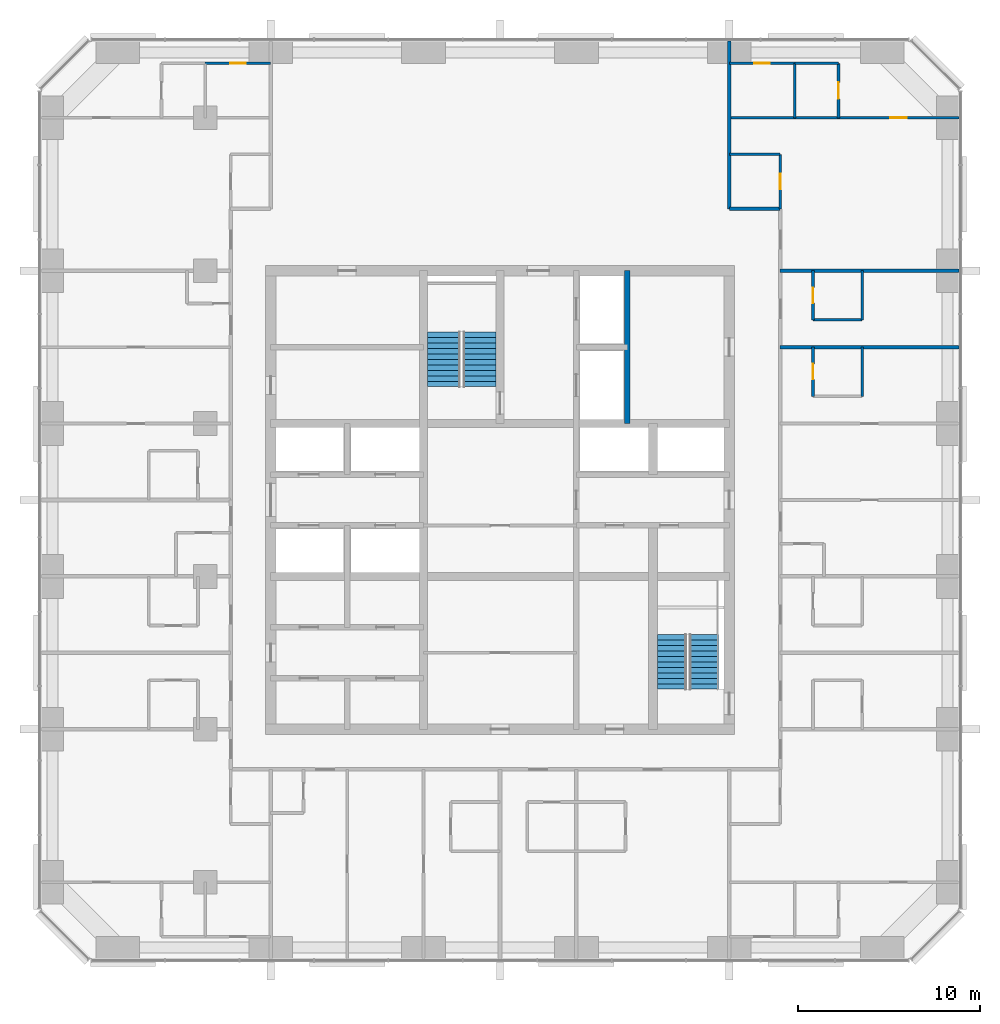
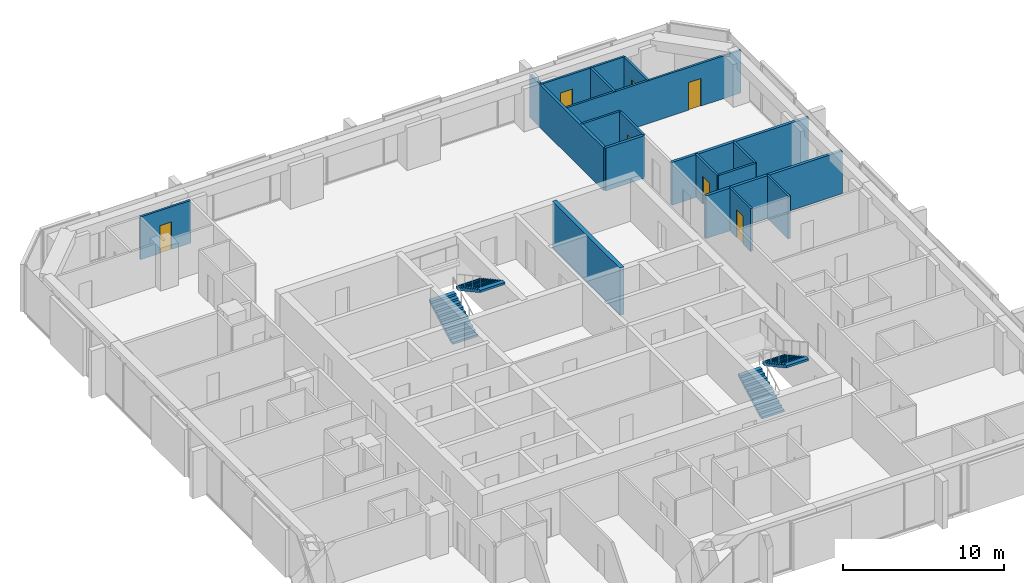
# One storey, part 12 of 13: 18 walls, 7 doors, 4 stair flights, 7 openings, 2 elements without a shape of their own.
"""IFC4 building model written with IfcOpenShell, lengths in metres."""

from ifc_helpers import new_model, si_unit, direction, frame, frame_2d, origin, place, context, subcontext, project, spatial, polyline, rectangle, outline, extrude, material, layer, layer_set, type_object, element, fill, aggregate, save


model = new_model("IFC4")

# Units and contexts
model_context = context("Model", 3, precision=1e-05, world=origin(), true_north=direction((0.0, 1.0)))
body_context = subcontext(model_context, "Body", "Model", "MODEL_VIEW")
ifc_project = project(units=[si_unit("LENGTHUNIT", "METRE"), si_unit("AREAUNIT", "SQUARE_METRE"), si_unit("VOLUMEUNIT", "CUBIC_METRE"), si_unit("PLANEANGLEUNIT", "RADIAN"), si_unit("MASSUNIT", "GRAM", prefix="KILO")], contexts=[model_context])

# Site, building, storey
site_placement = place(None, origin())
site = spatial("IfcSite", under=ifc_project, at=site_placement, CompositionType="ELEMENT")
building_placement = place(site_placement, origin())
building = spatial("IfcBuilding", under=site, at=building_placement, Name="Dunama Terrace Hotel", CompositionType="ELEMENT")
storey_placement = place(building_placement, frame((0.0, 0.0, 209.39990234375)))
storey = spatial("IfcBuildingStorey", under=building, at=storey_placement, Name="L54", CompositionType="ELEMENT", Elevation=209.39990234375)

# Wall, opening, door
ifc_material_1 = material(Name="Gypsum board partition", Category="masonry")
ifc_layer_1 = layer(ifc_material_1, 0.14990234375)
ifc_layer_set_1 = layer_set([ifc_layer_1], Name="Bathroom partition 150")
wall_type_1 = type_object("IfcWallType", Name="Bathroom partition 150", PredefinedType="PARTITIONING", material=ifc_layer_set_1)
wall_1_placement = place(storey_placement, frame((44.800048828125, 45.39990234375, 0.0), z_axis=(0.0, 0.0, 1.0), x_axis=(0.0, 1.0, 0.0)))
wall_1 = element("IfcWall", 1, at=wall_1_placement, inside=storey, type_object=wall_type_1, Name="Bathroom partition 150 L54", PredefinedType="PARTITIONING", context=body_context, shape_type="SweptSolid", body=[
    extrude(rectangle(XDim=3.0, YDim=0.14990234375, at=frame_2d((1.5, 0.0))), origin(), (0.0, 0.0, 1.0), 3.25),
])
opening_1_placement = place(wall_1_placement, frame((1.074951171875, 0.0, 0.0)))
opening_1 = element("IfcOpeningElement", 2, at=opening_1_placement, cuts=wall_1, Name="Opening L53-54-051", PredefinedType="OPENING", context=body_context, shape_type="SweptSolid", body=[
    extrude(rectangle(XDim=0.85009765625, YDim=2.10009765625, at=frame_2d((0.425048828125, 1.050048828125))), frame((0.0, 0.0849609375, 0.0), z_axis=(0.0, -1.0, 0.0), x_axis=(1.0, 0.0, 0.0)), (0.0, 0.0, 1.0), 0.169921875),
])
ifc_material_2 = material(Name="Timber door with steel frame", Category="steel")
door_type_1 = type_object("IfcDoorType", Name="Bathroom door 850", OperationType="SINGLE_SWING_LEFT", PredefinedType="DOOR", material=ifc_material_2)
door_1_placement = place(opening_1_placement, origin())
door_1 = element("IfcDoor", 3, at=door_1_placement, inside=storey, type_object=door_type_1, Name="Door to powder room L53-54-051, type D2", OperationType="SINGLE_SWING_LEFT", OverallHeight=2.10009765625, OverallWidth=0.85009765625, PredefinedType="DOOR", context=body_context, shape_type="SweptSolid", body=[
    extrude(rectangle(XDim=0.85009765625, YDim=2.10009765625, at=frame_2d((0.425048828125, 1.050048828125))), frame((0.0, 0.02490234375, 0.0), z_axis=(0.0, -1.0, 0.0), x_axis=(1.0, 0.0, 0.0)), (0.0, 0.0, 1.0), 0.050048828125),
])
fill(opening_1, door_1)

wall_2_placement = place(storey_placement, frame((46.60009765625, 35.10009765625, 0.0), z_axis=(0.0, 0.0, 1.0), x_axis=(0.0, 1.0, 0.0)))
wall_2 = element("IfcWall", 4, at=wall_2_placement, inside=storey, type_object=wall_type_1, Name="Bathroom partition 150 L54", PredefinedType="PARTITIONING", context=body_context, shape_type="SweptSolid", body=[
    extrude(rectangle(XDim=2.699951171875, YDim=0.14990234375, at=frame_2d((1.35009765625, 0.0))), origin(), (0.0, 0.0, 1.0), 3.25),
])
opening_2_placement = place(wall_2_placement, frame((0.925048828125, 0.0, 0.0)))
opening_2 = element("IfcOpeningElement", 5, at=opening_2_placement, cuts=wall_2, Name="Opening L53-54-026", PredefinedType="OPENING", context=body_context, shape_type="SweptSolid", body=[
    extrude(rectangle(XDim=0.85009765625, YDim=2.10009765625, at=frame_2d((0.425048828125, 1.050048828125))), frame((0.0, 0.0849609375, 0.0), z_axis=(0.0, -1.0, 0.0), x_axis=(1.0, 0.0, 0.0)), (0.0, 0.0, 1.0), 0.169921875),
])
door_2_placement = place(opening_2_placement, frame((0.85009765625, 0.0, 0.0), z_axis=(0.0, 0.0, 1.0), x_axis=(-1.0, 0.0, 0.0)))
door_2 = element("IfcDoor", 6, at=door_2_placement, inside=storey, type_object=door_type_1, Name="Door to en-suite bathroom L53-54-026, type D2", OperationType="SINGLE_SWING_LEFT", OverallHeight=2.10009765625, OverallWidth=0.85009765625, PredefinedType="DOOR", context=body_context, shape_type="SweptSolid", body=[
    extrude(rectangle(XDim=0.85009765625, YDim=2.10009765625, at=frame_2d((0.425048828125, 1.050048828125))), frame((0.0, 0.025146484375, 0.0), z_axis=(0.0, -1.0, 0.0), x_axis=(1.0, 0.0, 0.0)), (0.0, 0.0, 1.0), 0.050048828125),
])
fill(opening_2, door_2)

wall_3_placement = place(storey_placement, frame((46.60009765625, 39.300048828125, 0.0), z_axis=(0.0, 0.0, 1.0), x_axis=(0.0, 1.0, 0.0)))
wall_3 = element("IfcWall", 7, at=wall_3_placement, inside=storey, type_object=wall_type_1, Name="Bathroom partition 150 L54", PredefinedType="PARTITIONING", context=body_context, shape_type="SweptSolid", body=[
    extrude(rectangle(XDim=2.699951171875, YDim=0.14990234375, at=frame_2d((1.35009765625, 0.0))), origin(), (0.0, 0.0, 1.0), 3.25),
])
opening_3_placement = place(wall_3_placement, frame((0.925048828125, 0.0, 0.0)))
opening_3 = element("IfcOpeningElement", 8, at=opening_3_placement, cuts=wall_3, Name="Opening L53-54-028", PredefinedType="OPENING", context=body_context, shape_type="SweptSolid", body=[
    extrude(rectangle(XDim=0.85009765625, YDim=2.10009765625, at=frame_2d((0.425048828125, 1.050048828125))), frame((0.0, 0.0849609375, 0.0), z_axis=(0.0, -1.0, 0.0), x_axis=(1.0, 0.0, 0.0)), (0.0, 0.0, 1.0), 0.169921875),
])
door_3_placement = place(opening_3_placement, frame((0.85009765625, 0.0, 0.0), z_axis=(0.0, 0.0, 1.0), x_axis=(-1.0, 0.0, 0.0)))
door_3 = element("IfcDoor", 9, at=door_3_placement, inside=storey, type_object=door_type_1, Name="Door to en-suite bathroom L53-54-028, type D2", OperationType="SINGLE_SWING_LEFT", OverallHeight=2.10009765625, OverallWidth=0.85009765625, PredefinedType="DOOR", context=body_context, shape_type="SweptSolid", body=[
    extrude(rectangle(XDim=0.85009765625, YDim=2.10009765625, at=frame_2d((0.425048828125, 1.050048828125))), frame((0.0, 0.025146484375, 0.0), z_axis=(0.0, -1.0, 0.0), x_axis=(1.0, 0.0, 0.0)), (0.0, 0.0, 1.0), 0.050048828125),
])
fill(opening_3, door_3)

# Walls
for number, where, z_axis, x_axis, name in (
    (10, (49.300048828125, 35.10009765625, 0.0), (0.0, 0.0, 1.0), (0.0, 1.0, 0.0), "Bathroom partition 150 L54"),
    (11, (49.300048828125, 39.300048828125, 0.0), (0.0, 0.0, 1.0), (0.0, 1.0, 0.0), "Bathroom partition 150 L54"),
    (12, (46.60009765625, 39.300048828125, 0.0), (0.0, 0.0, 1.0), (1.0, 0.0, 0.0), "Bathroom partition 150 L54"),
):
    element("IfcWall", number, at=place(storey_placement, frame(where, z_axis=z_axis, x_axis=x_axis)), inside=storey, type_object=wall_type_1, Name=name, PredefinedType="PARTITIONING", context=body_context, shape_type="SweptSolid", body=[
        extrude(rectangle(XDim=2.699951171875, YDim=0.14990234375, at=frame_2d((1.35009765625, 0.0))), origin(), (0.0, 0.0, 1.0), 3.25),
    ])
wall_4_placement = place(storey_placement, frame((42.0, 48.39990234375, 0.0), z_axis=(0.0, 0.0, 1.0), x_axis=(1.0, 0.0, 0.0)))
element("IfcWall", 13, at=wall_4_placement, inside=storey, type_object=wall_type_1, Name="Bathroom partition 150 L54", PredefinedType="PARTITIONING", context=body_context, shape_type="SweptSolid", body=[
    extrude(rectangle(XDim=2.800048828125, YDim=0.14990234375, at=frame_2d((1.39990234375, 0.0))), origin(), (0.0, 0.0, 1.0), 3.25),
])

# Wall, opening, door
wall_5_placement = place(storey_placement, frame((13.199951171875, 53.39990234375, 0.0), z_axis=(0.0, 0.0, 1.0), x_axis=(1.0, 0.0, 0.0)))
wall_5 = element("IfcWall", 14, at=wall_5_placement, inside=storey, type_object=wall_type_1, Name="Bathroom partition 150 L54", PredefinedType="PARTITIONING", context=body_context, shape_type="SweptSolid", body=[
    extrude(rectangle(XDim=3.60009765625, YDim=0.14990234375, at=frame_2d((1.800048828125, 0.0))), origin(), (0.0, 0.0, 1.0), 3.25),
])
opening_4_placement = place(wall_5_placement, frame((1.375, 0.0, 0.0)))
opening_4 = element("IfcOpeningElement", 15, at=opening_4_placement, cuts=wall_5, Name="Opening L53-54-058", PredefinedType="OPENING", context=body_context, shape_type="SweptSolid", body=[
    extrude(rectangle(XDim=0.85009765625, YDim=2.10009765625, at=frame_2d((0.425048828125, 1.050048828125))), frame((0.0, 0.0849609375, 0.0), z_axis=(0.0, -1.0, 0.0), x_axis=(1.0, 0.0, 0.0)), (0.0, 0.0, 1.0), 0.169921875),
])
door_4_placement = place(opening_4_placement, frame((0.85009765625, 0.0, 0.0), z_axis=(0.0, 0.0, 1.0), x_axis=(-1.0, 0.0, 0.0)))
door_4 = element("IfcDoor", 16, at=door_4_placement, inside=storey, type_object=door_type_1, Name="Door to en-suite bathroom L53-54-058, type D2", OperationType="SINGLE_SWING_LEFT", OverallHeight=2.10009765625, OverallWidth=0.85009765625, PredefinedType="DOOR", context=body_context, shape_type="SweptSolid", body=[
    extrude(rectangle(XDim=0.85009765625, YDim=2.10009765625, at=frame_2d((0.425048828125, 1.050048828125))), frame((0.0, 0.025146484375, 0.0), z_axis=(0.0, -1.0, 0.0), x_axis=(1.0, 0.0, 0.0)), (0.0, 0.0, 1.0), 0.050048828125),
])
fill(opening_4, door_4)

wall_6_placement = place(storey_placement, frame((42.0, 53.39990234375, 0.0), z_axis=(0.0, 0.0, 1.0), x_axis=(1.0, 0.0, 0.0)))
wall_6 = element("IfcWall", 17, at=wall_6_placement, inside=storey, type_object=wall_type_1, Name="Bathroom partition 150 L54", PredefinedType="PARTITIONING", context=body_context, shape_type="SweptSolid", body=[
    extrude(rectangle(XDim=3.60009765625, YDim=0.14990234375, at=frame_2d((1.800048828125, 0.0))), origin(), (0.0, 0.0, 1.0), 3.25),
])
opening_5_placement = place(wall_6_placement, frame((1.375, 0.0, 0.0)))
opening_5 = element("IfcOpeningElement", 18, at=opening_5_placement, cuts=wall_6, Name="Opening L53-54-053", PredefinedType="OPENING", context=body_context, shape_type="SweptSolid", body=[
    extrude(rectangle(XDim=0.85009765625, YDim=2.10009765625, at=frame_2d((0.425048828125, 1.050048828125))), frame((0.0, 0.0849609375, 0.0), z_axis=(0.0, -1.0, 0.0), x_axis=(1.0, 0.0, 0.0)), (0.0, 0.0, 1.0), 0.169921875),
])
door_5_placement = place(opening_5_placement, frame((0.85009765625, 0.0, 0.0), z_axis=(0.0, 0.0, 1.0), x_axis=(-1.0, 0.0, 0.0)))
door_5 = element("IfcDoor", 19, at=door_5_placement, inside=storey, type_object=door_type_1, Name="Door to en-suite bathroom L53-54-053, type D2", OperationType="SINGLE_SWING_RIGHT", OverallHeight=2.10009765625, OverallWidth=0.85009765625, PredefinedType="DOOR", context=body_context, shape_type="SweptSolid", body=[
    extrude(rectangle(XDim=0.85009765625, YDim=2.10009765625, at=frame_2d((0.425048828125, 1.050048828125))), frame((0.0, 0.025146484375, 0.0), z_axis=(0.0, -1.0, 0.0), x_axis=(1.0, 0.0, 0.0)), (0.0, 0.0, 1.0), 0.050048828125),
])
fill(opening_5, door_5)

# Walls
ifc_material_3 = material(Name="Concrete C50/60", Category="concrete")
ifc_layer_2 = layer(ifc_material_3, 0.300048828125)
ifc_layer_set_2 = layer_set([ifc_layer_2], Name="Core inner wall 300")
wall_type_2 = type_object("IfcWallType", Name="Core inner wall 300", PredefinedType="SHEAR", material=ifc_layer_set_2)
wall_7_placement = place(storey_placement, frame((36.39990234375, 33.60009765625, -0.349853515625), z_axis=(0.0, 0.0, 1.0), x_axis=(0.0, 1.0, 0.0)))
element("IfcWall", 20, at=wall_7_placement, inside=storey, type_object=wall_type_2, Name="Core inner wall 300 L54", PredefinedType="SHEAR", context=body_context, shape_type="SweptSolid", body=[
    extrude(rectangle(XDim=8.39990234375, YDim=0.300048828125, at=frame_2d((4.199951171875, 0.0))), origin(), (0.0, 0.0, 1.0), 3.599853515625),
])
ifc_material_4 = material(Name="Concrete blockwork", Category="masonry")
ifc_layer_3 = layer(ifc_material_4, 0.199951171875)
ifc_layer_set_3 = layer_set([ifc_layer_3], Name="Corridor partition 200")
wall_type_3 = type_object("IfcWallType", Name="Corridor partition 200", PredefinedType="PARTITIONING", material=ifc_layer_set_3)
wall_8_placement = place(storey_placement, frame((42.0, 45.39990234375, 0.0), z_axis=(0.0, 0.0, 1.0), x_axis=(1.0, 0.0, 0.0)))
element("IfcWall", 21, at=wall_8_placement, inside=storey, type_object=wall_type_3, Name="Corridor partition 200 L54", PredefinedType="PARTITIONING", context=body_context, shape_type="SweptSolid", body=[
    extrude(rectangle(XDim=2.800048828125, YDim=0.199951171875, at=frame_2d((1.39990234375, 0.0))), origin(), (0.0, 0.0, 1.0), 3.25),
])
wall_9_placement = place(storey_placement, frame((42.0, 54.617919921875, 0.0), z_axis=(0.0, 0.0, 1.0), x_axis=(0.0, -1.0, 0.0)))
element("IfcWall", 22, at=wall_9_placement, inside=storey, type_object=wall_type_3, Name="Corridor partition 200 L54", PredefinedType="PARTITIONING", context=body_context, shape_type="SweptSolid", body=[
    extrude(rectangle(XDim=9.218017578125, YDim=0.199951171875, at=frame_2d((4.60888671875, 0.0))), origin(), (0.0, 0.0, 1.0), 3.25),
])
ifc_material_5 = material(Name="Concrete blockwork", Category="masonry")
ifc_layer_4 = layer(ifc_material_5, 0.199951171875)
ifc_layer_set_4 = layer_set([ifc_layer_4], Name="Party wall 200")
wall_type_4 = type_object("IfcWallType", Name="Party wall 200", PredefinedType="PARTITIONING", material=ifc_layer_set_4)
for number, where, z_axis, x_axis, name in (
    (23, (44.800048828125, 37.800048828125, 0.0), (0.0, 0.0, 1.0), (1.0, 0.0, 0.0), "Party wall 200 L54"),
    (24, (44.800048828125, 42.0, 0.0), (0.0, 0.0, 1.0), (1.0, 0.0, 0.0), "Party wall 200 L54"),
):
    element("IfcWall", number, at=place(storey_placement, frame(where, z_axis=z_axis, x_axis=x_axis)), inside=storey, type_object=wall_type_4, Name=name, PredefinedType="PARTITIONING", context=body_context, shape_type="SweptSolid", body=[
        extrude(rectangle(XDim=9.81787109375, YDim=0.199951171875, at=frame_2d((4.908935546875, 0.0))), origin(), (0.0, 0.0, 1.0), 3.25),
    ])
ifc_material_6 = material(Name="Gypsum board partition", Category="masonry")
ifc_layer_5 = layer(ifc_material_6, 0.14990234375)
ifc_layer_set_5 = layer_set([ifc_layer_5], Name="Room partition 150")
wall_type_5 = type_object("IfcWallType", Name="Room partition 150", PredefinedType="PARTITIONING", material=ifc_layer_set_5)
wall_10_placement = place(storey_placement, frame((45.60009765625, 50.39990234375, 0.0), z_axis=(0.0, 0.0, 1.0), x_axis=(0.0, 1.0, 0.0)))
element("IfcWall", 25, at=wall_10_placement, inside=storey, type_object=wall_type_5, Name="Room partition 150 L54", PredefinedType="PARTITIONING", context=body_context, shape_type="SweptSolid", body=[
    extrude(rectangle(XDim=3.0, YDim=0.14990234375, at=frame_2d((1.5, 0.0))), origin(), (0.0, 0.0, 1.0), 3.25),
])

# Wall, opening, door
wall_11_placement = place(storey_placement, frame((48.0, 50.39990234375, 0.0), z_axis=(0.0, 0.0, 1.0), x_axis=(0.0, 1.0, 0.0)))
wall_11 = element("IfcWall", 26, at=wall_11_placement, inside=storey, type_object=wall_type_5, Name="Room partition 150 L54", PredefinedType="PARTITIONING", context=body_context, shape_type="SweptSolid", body=[
    extrude(rectangle(XDim=3.0, YDim=0.14990234375, at=frame_2d((1.5, 0.0))), origin(), (0.0, 0.0, 1.0), 3.25),
])
opening_6_placement = place(wall_11_placement, frame((1.050048828125, 0.0, 0.0)))
opening_6 = element("IfcOpeningElement", 27, at=opening_6_placement, cuts=wall_11, Name="Opening L53-54-054", PredefinedType="OPENING", context=body_context, shape_type="SweptSolid", body=[
    extrude(rectangle(XDim=0.89990234375, YDim=2.10009765625, at=frame_2d((0.449951171875, 1.050048828125))), frame((0.0, 0.0849609375, 0.0), z_axis=(0.0, -1.0, 0.0), x_axis=(1.0, 0.0, 0.0)), (0.0, 0.0, 1.0), 0.169921875),
])
ifc_material_7 = material(Name="Timber door with steel frame", Category="steel")
door_type_2 = type_object("IfcDoorType", Name="Suite internal door 900", OperationType="SINGLE_SWING_LEFT", PredefinedType="DOOR", material=ifc_material_7)
door_6_placement = place(opening_6_placement, origin())
door_6 = element("IfcDoor", 28, at=door_6_placement, inside=storey, type_object=door_type_2, Name="Door to dressing room L53-54-054, type D16", OperationType="SINGLE_SWING_LEFT", OverallHeight=2.10009765625, OverallWidth=0.89990234375, PredefinedType="DOOR", context=body_context, shape_type="SweptSolid", body=[
    extrude(rectangle(XDim=0.89990234375, YDim=2.10009765625, at=frame_2d((0.449951171875, 1.050048828125))), frame((0.0, 0.02490234375, 0.0), z_axis=(0.0, -1.0, 0.0), x_axis=(1.0, 0.0, 0.0)), (0.0, 0.0, 1.0), 0.050048828125),
])
fill(opening_6, door_6)

wall_12_placement = place(storey_placement, frame((42.0, 50.39990234375, 0.0), z_axis=(0.0, 0.0, 1.0), x_axis=(1.0, 0.0, 0.0)))
wall_12 = element("IfcWall", 29, at=wall_12_placement, inside=storey, type_object=wall_type_5, Name="Room partition 150 L54", PredefinedType="PARTITIONING", context=body_context, shape_type="SweptSolid", body=[
    extrude(rectangle(XDim=12.617919921875, YDim=0.14990234375, at=frame_2d((6.30908203125, 0.0))), origin(), (0.0, 0.0, 1.0), 3.25),
])
opening_7_placement = place(wall_12_placement, frame((8.85009765625, 0.0, 0.0)))
opening_7 = element("IfcOpeningElement", 30, at=opening_7_placement, cuts=wall_12, Name="Opening L53-54-052", PredefinedType="OPENING", context=body_context, shape_type="SweptSolid", body=[
    extrude(rectangle(XDim=0.89990234375, YDim=2.10009765625, at=frame_2d((0.449951171875, 1.050048828125))), frame((0.0, 0.0849609375, 0.0), z_axis=(0.0, -1.0, 0.0), x_axis=(1.0, 0.0, 0.0)), (0.0, 0.0, 1.0), 0.169921875),
])
door_7_placement = place(opening_7_placement, origin())
door_7 = element("IfcDoor", 31, at=door_7_placement, inside=storey, type_object=door_type_2, Name="Door to corner suite bedroom L53-54-052, type D16", OperationType="SINGLE_SWING_RIGHT", OverallHeight=2.10009765625, OverallWidth=0.89990234375, PredefinedType="DOOR", context=body_context, shape_type="SweptSolid", body=[
    extrude(rectangle(XDim=0.89990234375, YDim=2.10009765625, at=frame_2d((0.449951171875, 1.050048828125))), frame((0.0, 0.02490234375, 0.0), z_axis=(0.0, -1.0, 0.0), x_axis=(1.0, 0.0, 0.0)), (0.0, 0.0, 1.0), 0.050048828125),
])
fill(opening_7, door_7)

# Wall
wall_13_placement = place(storey_placement, frame((45.60009765625, 53.39990234375, 0.0), z_axis=(0.0, 0.0, 1.0), x_axis=(1.0, 0.0, 0.0)))
element("IfcWall", 32, at=wall_13_placement, inside=storey, type_object=wall_type_5, Name="Room partition 150 L54", PredefinedType="PARTITIONING", context=body_context, shape_type="SweptSolid", body=[
    extrude(rectangle(XDim=2.39990234375, YDim=0.14990234375, at=frame_2d((1.199951171875, 0.0))), origin(), (0.0, 0.0, 1.0), 3.25),
])

# Stair, stair flights
ifc_material_8 = material(Name="Concrete C40/50", Category="concrete")
stair_type_1 = type_object("IfcStairType", Name="Stair ST1-3600-1800", PredefinedType="HALF_TURN_STAIR", material=ifc_material_8)
stair_1_placement = place(storey_placement, origin())
stair_1 = element("IfcStair", 33, at=stair_1_placement, inside=storey, type_object=stair_type_1, Name="Stair ST1 L54", PredefinedType="HALF_TURN_STAIR")
ifc_material_9 = material(Name="Concrete C40/50", Category="concrete")
stair_flight_type_1 = type_object("IfcStairFlightType", Name="Stair flight ST1-3600-1800", PredefinedType="STRAIGHT", material=ifc_material_9)
stair_flight_1_placement = place(storey_placement, frame((26.324951171875, 35.625, 0.0), z_axis=(0.0, 0.0, 1.0), x_axis=(0.0, 1.0, 0.0)))
stair_flight_1 = element("IfcStairFlight", 34, at=stair_flight_1_placement, type_object=stair_flight_type_1, Name="ST1 flight 1", NumberOfRisers=11, NumberOfTreads=10, PredefinedType="STRAIGHT", RiserHeight=0.163636364, TreadLength=0.3, context=body_context, shape_type="SweptSolid", body=[
    extrude(outline(polyline([(0.0, 0.0), (0.0, 0.16357421875), (0.300048828125, 0.16357421875), (0.300048828125, 0.327392578125), (0.60009765625, 0.327392578125), (0.60009765625, 0.490966796875), (0.89990234375, 0.490966796875), (0.89990234375, 0.654541015625), (1.199951171875, 0.654541015625), (1.199951171875, 0.818115234375), (1.5, 0.818115234375), (1.5, 0.98193359375), (1.800048828125, 0.98193359375), (1.800048828125, 1.1455078125), (2.10009765625, 1.1455078125), (2.10009765625, 1.30908203125), (2.39990234375, 1.30908203125), (2.39990234375, 1.47265625), (2.699951171875, 1.47265625), (2.699951171875, 1.636474609375), (3.0, 1.636474609375), (3.0, 1.800048828125), (3.0, 1.465576171875), (0.31298828125, 0.0), (0.0, 0.0)])), frame((0.0, 0.89990234375, 0.0), z_axis=(0.0, -1.0, 0.0), x_axis=(1.0, 0.0, 0.0)), (0.0, 0.0, 1.0), 1.800048828125),
])
stair_flight_2_placement = place(storey_placement, frame((28.27490234375, 38.625, 1.800048828125), z_axis=(0.0, 0.0, 1.0), x_axis=(0.0, -1.0, 0.0)))
stair_flight_2 = element("IfcStairFlight", 35, at=stair_flight_2_placement, type_object=stair_flight_type_1, Name="ST1 flight 2", NumberOfRisers=11, NumberOfTreads=10, PredefinedType="STRAIGHT", RiserHeight=0.163636364, TreadLength=0.3, context=body_context, shape_type="SweptSolid", body=[
    extrude(outline(polyline([(0.0, 0.0), (0.0, 0.16357421875), (0.300048828125, 0.16357421875), (0.300048828125, 0.327392578125), (0.60009765625, 0.327392578125), (0.60009765625, 0.490966796875), (0.89990234375, 0.490966796875), (0.89990234375, 0.654541015625), (1.199951171875, 0.654541015625), (1.199951171875, 0.818115234375), (1.5, 0.818115234375), (1.5, 0.98193359375), (1.800048828125, 0.98193359375), (1.800048828125, 1.1455078125), (2.10009765625, 1.1455078125), (2.10009765625, 1.30908203125), (2.39990234375, 1.30908203125), (2.39990234375, 1.47265625), (2.699951171875, 1.47265625), (2.699951171875, 1.636474609375), (3.0, 1.636474609375), (3.0, 1.800048828125), (3.0, 1.465576171875), (0.31298828125, 0.0), (0.0, 0.0)])), frame((0.0, 0.89990234375, 0.0), z_axis=(0.0, -1.0, 0.0), x_axis=(1.0, 0.0, 0.0)), (0.0, 0.0, 1.0), 1.800048828125),
])
aggregate(stair_1, [stair_flight_1, stair_flight_2])

ifc_material_10 = material(Name="Concrete C40/50", Category="concrete")
stair_type_2 = type_object("IfcStairType", Name="Stair ST2-3600-1600", PredefinedType="HALF_TURN_STAIR", material=ifc_material_10)
stair_2_placement = place(storey_placement, origin())
stair_2 = element("IfcStair", 36, at=stair_2_placement, inside=storey, type_object=stair_type_2, Name="Stair ST2 L54", PredefinedType="HALF_TURN_STAIR")
ifc_material_11 = material(Name="Concrete C40/50", Category="concrete")
stair_flight_type_2 = type_object("IfcStairFlightType", Name="Stair flight ST2-3600-1600", PredefinedType="STRAIGHT", material=ifc_material_11)
stair_flight_3_placement = place(storey_placement, frame((38.85009765625, 19.0, 0.0), z_axis=(0.0, 0.0, 1.0), x_axis=(0.0, 1.0, 0.0)))
stair_flight_3 = element("IfcStairFlight", 37, at=stair_flight_3_placement, type_object=stair_flight_type_2, Name="ST2 flight 1", NumberOfRisers=11, NumberOfTreads=10, PredefinedType="STRAIGHT", RiserHeight=0.163636364, TreadLength=0.3, context=body_context, shape_type="SweptSolid", body=[
    extrude(outline(polyline([(0.0, 0.0), (0.0, 0.16357421875), (0.300048828125, 0.16357421875), (0.300048828125, 0.327392578125), (0.60009765625, 0.327392578125), (0.60009765625, 0.490966796875), (0.89990234375, 0.490966796875), (0.89990234375, 0.654541015625), (1.199951171875, 0.654541015625), (1.199951171875, 0.818115234375), (1.5, 0.818115234375), (1.5, 0.98193359375), (1.800048828125, 0.98193359375), (1.800048828125, 1.1455078125), (2.10009765625, 1.1455078125), (2.10009765625, 1.30908203125), (2.39990234375, 1.30908203125), (2.39990234375, 1.47265625), (2.699951171875, 1.47265625), (2.699951171875, 1.636474609375), (3.0, 1.636474609375), (3.0, 1.800048828125), (3.0, 1.465576171875), (0.31298828125, 0.0), (0.0, 0.0)])), frame((0.0, 0.800048828125, 0.0), z_axis=(0.0, -1.0, 0.0), x_axis=(1.0, 0.0, 0.0)), (0.0, 0.0, 1.0), 1.60009765625),
])
stair_flight_4_placement = place(storey_placement, frame((40.60009765625, 22.0, 1.800048828125), z_axis=(0.0, 0.0, 1.0), x_axis=(0.0, -1.0, 0.0)))
stair_flight_4 = element("IfcStairFlight", 38, at=stair_flight_4_placement, type_object=stair_flight_type_2, Name="ST2 flight 2", NumberOfRisers=11, NumberOfTreads=10, PredefinedType="STRAIGHT", RiserHeight=0.163636364, TreadLength=0.3, context=body_context, shape_type="SweptSolid", body=[
    extrude(outline(polyline([(0.0, 0.0), (0.0, 0.16357421875), (0.300048828125, 0.16357421875), (0.300048828125, 0.327392578125), (0.60009765625, 0.327392578125), (0.60009765625, 0.490966796875), (0.89990234375, 0.490966796875), (0.89990234375, 0.654541015625), (1.199951171875, 0.654541015625), (1.199951171875, 0.818115234375), (1.5, 0.818115234375), (1.5, 0.98193359375), (1.800048828125, 0.98193359375), (1.800048828125, 1.1455078125), (2.10009765625, 1.1455078125), (2.10009765625, 1.30908203125), (2.39990234375, 1.30908203125), (2.39990234375, 1.47265625), (2.699951171875, 1.47265625), (2.699951171875, 1.636474609375), (3.0, 1.636474609375), (3.0, 1.800048828125), (3.0, 1.465576171875), (0.31298828125, 0.0), (0.0, 0.0)])), frame((0.0, 0.800048828125, 0.0), z_axis=(0.0, -1.0, 0.0), x_axis=(1.0, 0.0, 0.0)), (0.0, 0.0, 1.0), 1.60009765625),
])
aggregate(stair_2, [stair_flight_3, stair_flight_4])

save(model, "model.ifc")
